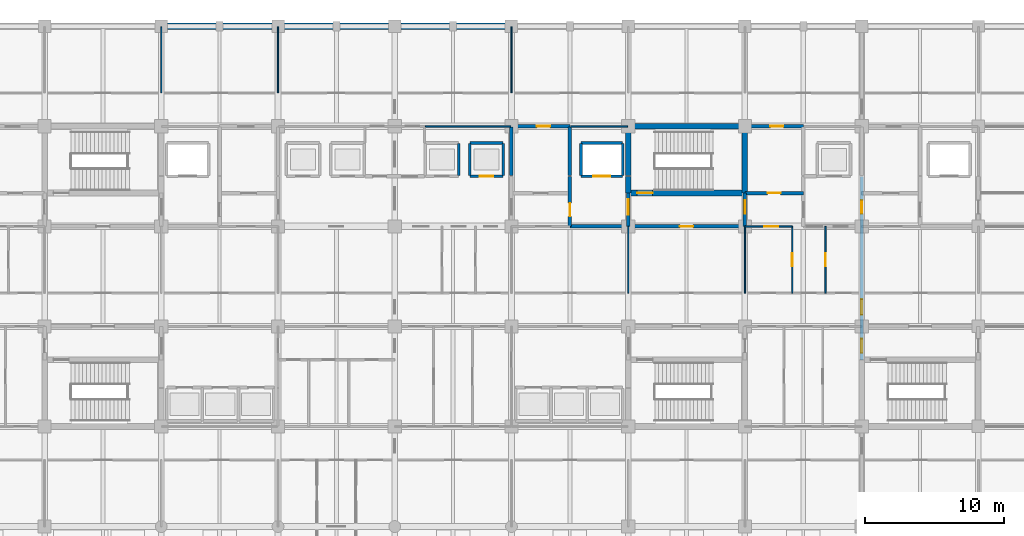
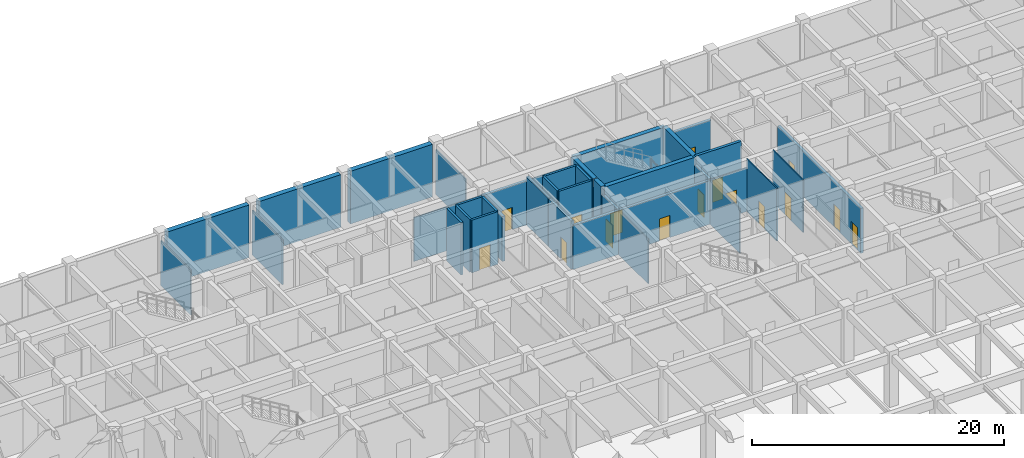
# One storey, part 33 of 48: 37 walls, 16 doors, 16 openings.
"""IFC4 building model written with IfcOpenShell, lengths in metres."""

import ifcopenshell
import ifcopenshell.guid

model = None  # the IFC model being written
_history = None  # IfcOwnerHistory: only IFC2X3 demands one
_inside = {}  # id of a spatial element -> (the spatial element, [elements in it])
_under = {}  # id of a project, library or spatial element -> (it, [spatial elements below it])
_declared = {}  # id of a project -> (the project, [libraries it declares])
_typed = {}  # id of a type object -> (the type object, [elements of that type])
_made_of = {}  # id of a material, layer set ... -> (it, [elements and type objects made of it])


def new_model(schema):
    """Start an empty IFC model of exactly this schema.

    Asked for "IFC4X3", IfcOpenShell would pick the latest addendum, in which some entities
    have other attributes; the version numbers below select the first issue.
    IFC2X3 requires an IfcOwnerHistory on every rooted entity: one is made here for all.
    """
    global model, _history
    if schema == "IFC4X3":
        model = ifcopenshell.file(schema_version=(4, 3, 0, 0))
    else:
        model = ifcopenshell.file(schema=schema)
    _inside.clear()
    _under.clear()
    _declared.clear()
    _typed.clear()
    _made_of.clear()
    _history = None
    if model.schema == "IFC2X3":
        org = make("IfcOrganization", Name="unknown")
        user = make(
            "IfcPersonAndOrganization",
            ThePerson=make("IfcPerson", FamilyName="unknown"),
            TheOrganization=org,
        )
        app = make(
            "IfcApplication",
            ApplicationDeveloper=org,
            Version="unknown",
            ApplicationFullName="unknown",
            ApplicationIdentifier="unknown",
        )
        _history = make(
            "IfcOwnerHistory",
            OwningUser=user,
            OwningApplication=app,
            ChangeAction="ADDED",
            CreationDate=0,
        )
    return model


def make(cls, **values):
    """One entity of the class cls with the attributes given. An attribute that is None is left unset."""
    return model.create_entity(
        cls, **{name: value for name, value in values.items() if value is not None}
    )


def rooted(cls, **values):
    """An entity with a GlobalId (a new one), such as an element, a storey or a relation."""
    return make(cls, GlobalId=ifcopenshell.guid.new(), OwnerHistory=_history, **values)


def si_unit(unit_type, name, prefix=None):
    """IfcSIUnit, for example si_unit("LENGTHUNIT", "METRE", prefix="MILLI")."""
    return make("IfcSIUnit", UnitType=unit_type, Prefix=prefix, Name=name)


def assignment(units):
    """IfcUnitAssignment: the units of a project."""
    return None if units is None else make("IfcUnitAssignment", Units=units)


def point(xyz):
    """IfcCartesianPoint."""
    return None if xyz is None else make("IfcCartesianPoint", Coordinates=xyz)


def direction(xyz):
    """IfcDirection."""
    return None if xyz is None else make("IfcDirection", DirectionRatios=xyz)


def frame(location, z_axis=None, x_axis=None):
    """IfcAxis2Placement3D, a coordinate frame: its origin and axes. An axis left out is left unset."""
    return make(
        "IfcAxis2Placement3D",
        Location=point(location),
        Axis=direction(z_axis),
        RefDirection=direction(x_axis),
    )


def frame_2d(location, x_axis=None):
    """IfcAxis2Placement2D, a coordinate frame in the plane: its origin and x axis."""
    return make(
        "IfcAxis2Placement2D", Location=point(location), RefDirection=direction(x_axis)
    )


def origin():
    """The frame at (0, 0, 0) with its axes left unset."""
    return frame((0.0, 0.0, 0.0))


def place(relative_to, where):
    """IfcLocalPlacement: puts the frame where relative to a parent placement (None: the world)."""
    return make(
        "IfcLocalPlacement", PlacementRelTo=relative_to, RelativePlacement=where
    )


def context(
    kind, dimensions, precision=None, world=None, true_north=None, identifier=None
):
    """IfcGeometricRepresentationContext, for example the 3D "Model" context."""
    return make(
        "IfcGeometricRepresentationContext",
        ContextIdentifier=identifier,
        ContextType=kind,
        CoordinateSpaceDimension=dimensions,
        Precision=precision,
        WorldCoordinateSystem=world,
        TrueNorth=true_north,
    )


def subcontext(parent, identifier, kind, view, scale=None):
    """IfcGeometricRepresentationSubContext, for example "Body" below "Model"."""
    return make(
        "IfcGeometricRepresentationSubContext",
        ContextIdentifier=identifier,
        ContextType=kind,
        ParentContext=parent,
        TargetScale=scale,
        TargetView=view,
    )


def project(units=None, contexts=None):
    """IfcProject with its units and contexts."""
    return rooted(
        "IfcProject",
        Name="project",
        RepresentationContexts=contexts,
        UnitsInContext=assignment(units),
    )


def spatial(cls, under=None, at=None, **own):
    """A site, building, storey or space (cls), placed at a placement, below another one or the project."""
    s = rooted(cls, ObjectPlacement=at, **own)
    if under is not None:
        _under.setdefault(under.id(), (under, []))[1].append(s)
    return s


def profile(cls, at=None, kind="AREA", **sizes):
    """A parametric profile (cls). Its sizes go by their IFC names, for example OverallWidth=200.0."""
    return make(cls, ProfileType=kind, Position=at, **sizes)


def rectangle(**sizes):
    """IfcRectangleProfileDef."""
    return profile("IfcRectangleProfileDef", **sizes)


def extrude(swept, where, along, depth):
    """IfcExtrudedAreaSolid: the profile swept, set in the frame where, extruded along a direction by depth."""
    return make(
        "IfcExtrudedAreaSolid",
        SweptArea=swept,
        Position=where,
        ExtrudedDirection=direction(along),
        Depth=depth,
    )


def shape(context_of_items, identifier, shape_type, items):
    """IfcShapeRepresentation: the items that make up one representation, for example the "Body"."""
    return make(
        "IfcShapeRepresentation",
        ContextOfItems=context_of_items,
        RepresentationIdentifier=identifier,
        RepresentationType=shape_type,
        Items=items,
    )


def material(Name=None, Category=None):
    """IfcMaterial."""
    return make("IfcMaterial", Name=Name, Category=Category)


def layer(
    of_material, thickness, ventilated=None, Name=None, Category=None, Priority=None
):
    """IfcMaterialLayer: one layer of a wall or slab, of a material (None: an air gap)."""
    return make(
        "IfcMaterialLayer",
        Material=of_material,
        LayerThickness=thickness,
        IsVentilated=ventilated,
        Name=Name,
        Category=Category,
        Priority=Priority,
    )


def layer_set(layers, Name=None):
    """IfcMaterialLayerSet."""
    return make("IfcMaterialLayerSet", MaterialLayers=layers, LayerSetName=Name)


def made_of(thing, what):
    """Note that an element or type object is made of a material, layer set ...; save() writes the relation."""
    if what is not None:
        _made_of.setdefault(what.id(), (what, []))[1].append(thing)
    return thing


def type_object(cls, material=None, **own):
    """A type object (cls), such as IfcWallType, which elements share."""
    return made_of(rooted(cls, **own), material)


def element(
    cls,
    number,
    at=None,
    inside=None,
    cuts=None,
    type_object=None,
    material=None,
    context=None,
    identifier="Body",
    shape_type=None,
    held_by="IfcProductDefinitionShape",
    body=None,
    shapes=None,
    **own,
):
    """One element of the class cls, such as IfcWall. Its Tag is "e" and its number.

    at: its placement. inside: the storey or other place that contains it. cuts: it is an
    opening in that element (IfcRelVoidsElement). A single representation is given by context,
    identifier, shape_type and body (its items); several are given by shapes. held_by: the class
    of the entity that holds the representations. save() writes the other relations.
    """
    e = rooted(cls, Tag="e%d" % number, ObjectPlacement=at, **own)
    if body is not None:
        shapes = [shape(context, identifier, shape_type, body)]
    if shapes is not None:
        e.Representation = make(held_by, Representations=shapes)
    if inside is not None:
        _inside.setdefault(inside.id(), (inside, []))[1].append(e)
    if cuts is not None:
        rooted(
            "IfcRelVoidsElement", RelatingBuildingElement=cuts, RelatedOpeningElement=e
        )
    if type_object is not None:
        _typed.setdefault(type_object.id(), (type_object, []))[1].append(e)
    return made_of(e, material)


def fill(opening, filler):
    """IfcRelFillsElement: the door or window that sits in an opening."""
    return rooted(
        "IfcRelFillsElement",
        RelatingOpeningElement=opening,
        RelatedBuildingElement=filler,
    )


def aggregate(whole, parts):
    """IfcRelAggregates: a whole, such as a stair, and the parts it consists of."""
    return rooted("IfcRelAggregates", RelatingObject=whole, RelatedObjects=parts)


def save(model, path):
    """Write the relations noted so far, then the file.

    IfcRelAggregates (storeys below a building ...), IfcRelContainedInSpatialStructure (elements
    in a storey), IfcRelDefinesByType, IfcRelAssociatesMaterial and IfcRelDeclares: one each for
    every whole, place, type object, material and project.
    """
    for whole, parts in _under.values():
        aggregate(whole, parts)
    for where, things in _inside.values():
        rooted(
            "IfcRelContainedInSpatialStructure",
            RelatedElements=things,
            RelatingStructure=where,
        )
    for kind, things in _typed.values():
        rooted("IfcRelDefinesByType", RelatedObjects=things, RelatingType=kind)
    for what, things in _made_of.values():
        rooted("IfcRelAssociatesMaterial", RelatedObjects=things, RelatingMaterial=what)
    for by, libraries in _declared.values():
        rooted("IfcRelDeclares", RelatingContext=by, RelatedDefinitions=libraries)
    model.write(path)


model = new_model("IFC4")

# Units and contexts
model_context = context("Model", 3, precision=1e-05, world=origin(), true_north=direction((0.0, 1.0)))
body_context = subcontext(model_context, "Body", "Model", "MODEL_VIEW")
ifc_project = project(units=[si_unit("LENGTHUNIT", "METRE"), si_unit("AREAUNIT", "SQUARE_METRE"), si_unit("VOLUMEUNIT", "CUBIC_METRE"), si_unit("PLANEANGLEUNIT", "RADIAN"), si_unit("MASSUNIT", "GRAM", prefix="KILO")], contexts=[model_context])

# Site, building, storey
site_placement = place(None, origin())
site = spatial("IfcSite", under=ifc_project, at=site_placement, CompositionType="ELEMENT")
building_placement = place(site_placement, origin())
building = spatial("IfcBuilding", under=site, at=building_placement, Name="Chengyuan Square Courthouse", CompositionType="ELEMENT")
storey_placement = place(building_placement, frame((0.0, 0.0, -5.39990234375)))
storey = spatial("IfcBuildingStorey", under=building, at=storey_placement, Name="B01", CompositionType="ELEMENT", Elevation=-5.39990234375)

# Wall, opening, door
ifc_material_1 = material(Name="Concrete C40", Category="concrete")
ifc_layer_1 = layer(ifc_material_1, 0.25)
ifc_layer_set_1 = layer_set([ifc_layer_1], Name="Concrete C40")
wall_type_1 = type_object("IfcWallType", Name="WL-FW1", PredefinedType="STANDARD", material=ifc_layer_set_1)
wall_1_placement = place(storey_placement, frame((96.60009765625, 100.800048828125, 0.0), z_axis=(0.0, 0.0, 1.0), x_axis=(1.0, 0.0, 0.0)))
wall_1 = element("IfcWall", 1, at=wall_1_placement, inside=storey, type_object=wall_type_1, Name="Interior Wall WL-B01-I362", PredefinedType="STANDARD", context=body_context, shape_type="SweptSolid", body=[
    extrude(rectangle(XDim=12.599853515625, YDim=0.25, at=frame_2d((6.2998046875, 0.0))), origin(), (0.0, 0.0, 1.0), 4.25),
])
opening_1_placement = place(wall_1_placement, frame((7.925048828125, 0.0, 0.0)))
opening_1 = element("IfcOpeningElement", 2, at=opening_1_placement, cuts=wall_1, Name="Opening DR-350", PredefinedType="OPENING", context=body_context, shape_type="SweptSolid", body=[
    extrude(rectangle(XDim=0.949951171875, YDim=2.14990234375, at=frame_2d((0.47509765625, 1.074951171875))), frame((0.0, 0.136962890625, 0.0), z_axis=(0.0, -1.0, 0.0), x_axis=(1.0, 0.0, 0.0)), (0.0, 0.0, 1.0), 0.27392578125),
])
ifc_material_2 = material(Name="Steel Q235B Fire Door", Category="steel")
door_type_1 = type_object("IfcDoorType", Name="DT-12", OperationType="NOTDEFINED", PredefinedType="DOOR", material=ifc_material_2)
door_1_placement = place(opening_1_placement, origin())
door_1 = element("IfcDoor", 3, at=door_1_placement, inside=storey, type_object=door_type_1, Name="Interior Door DR-350", OperationType="SINGLE_SWING_LEFT", OverallHeight=2.14990234375, OverallWidth=0.949951171875, PredefinedType="DOOR", context=body_context, shape_type="SweptSolid", body=[
    extrude(rectangle(XDim=0.949951171875, YDim=2.14990234375, at=frame_2d((0.47509765625, 1.074951171875))), frame((0.0, 0.02490234375, 0.0), z_axis=(0.0, -1.0, 0.0), x_axis=(1.0, 0.0, 0.0)), (0.0, 0.0, 1.0), 0.050048828125),
])
fill(opening_1, door_1)

wall_2_placement = place(storey_placement, frame((109.199951171875, 103.199951171875, 0.0), z_axis=(0.0, 0.0, 1.0), x_axis=(1.0, 0.0, 0.0)))
wall_2 = element("IfcWall", 4, at=wall_2_placement, inside=storey, type_object=wall_type_1, Name="Interior Wall WL-B01-I377", PredefinedType="STANDARD", context=body_context, shape_type="SweptSolid", body=[
    extrude(rectangle(XDim=4.199951171875, YDim=0.25, at=frame_2d((2.10009765625, 0.0))), origin(), (0.0, 0.0, 1.0), 5.099853515625),
])
opening_2_placement = place(wall_2_placement, frame((1.625, 0.0, 0.0)))
opening_2 = element("IfcOpeningElement", 5, at=opening_2_placement, cuts=wall_2, Name="Opening DR-437", PredefinedType="OPENING", context=body_context, shape_type="SweptSolid", body=[
    extrude(rectangle(XDim=0.949951171875, YDim=2.14990234375, at=frame_2d((0.47509765625, 1.074951171875))), frame((0.0, 0.136962890625, 0.0), z_axis=(0.0, -1.0, 0.0), x_axis=(1.0, 0.0, 0.0)), (0.0, 0.0, 1.0), 0.27392578125),
])
door_2_placement = place(opening_2_placement, origin())
door_2 = element("IfcDoor", 6, at=door_2_placement, inside=storey, type_object=door_type_1, Name="Interior Door DR-437", OperationType="SINGLE_SWING_RIGHT", OverallHeight=2.14990234375, OverallWidth=0.949951171875, PredefinedType="DOOR", context=body_context, shape_type="SweptSolid", body=[
    extrude(rectangle(XDim=0.949951171875, YDim=2.14990234375, at=frame_2d((0.47509765625, 1.074951171875))), frame((0.0, 0.02490234375, 0.0), z_axis=(0.0, -1.0, 0.0), x_axis=(1.0, 0.0, 0.0)), (0.0, 0.0, 1.0), 0.050048828125),
])
fill(opening_2, door_2)

wall_3_placement = place(storey_placement, frame((92.39990234375, 108.0, 0.0), z_axis=(0.0, 0.0, 1.0), x_axis=(1.0, 0.0, 0.0)))
wall_3 = element("IfcWall", 7, at=wall_3_placement, inside=storey, type_object=wall_type_1, Name="Interior Wall WL-B01-I417", PredefinedType="STANDARD", context=body_context, shape_type="SweptSolid", body=[
    extrude(rectangle(XDim=4.2001953125, YDim=0.25, at=frame_2d((2.10009765625, 0.0))), origin(), (0.0, 0.0, 1.0), 4.25),
])
opening_3_placement = place(wall_3_placement, frame((1.822509765625, 0.0, 0.0)))
opening_3 = element("IfcOpeningElement", 8, at=opening_3_placement, cuts=wall_3, Name="Opening DR-407", PredefinedType="OPENING", context=body_context, shape_type="SweptSolid", body=[
    extrude(rectangle(XDim=0.949951171875, YDim=2.14990234375, at=frame_2d((0.47509765625, 1.074951171875))), frame((0.0, 0.136962890625, 0.0), z_axis=(0.0, -1.0, 0.0), x_axis=(1.0, 0.0, 0.0)), (0.0, 0.0, 1.0), 0.27392578125),
])
door_3_placement = place(opening_3_placement, origin())
door_3 = element("IfcDoor", 9, at=door_3_placement, inside=storey, type_object=door_type_1, Name="Interior Door DR-407", OperationType="SINGLE_SWING_LEFT", OverallHeight=2.14990234375, OverallWidth=0.949951171875, PredefinedType="DOOR", context=body_context, shape_type="SweptSolid", body=[
    extrude(rectangle(XDim=0.949951171875, YDim=2.14990234375, at=frame_2d((0.47509765625, 1.074951171875))), frame((0.0, 0.02490234375, 0.0), z_axis=(0.0, -1.0, 0.0), x_axis=(1.0, 0.0, 0.0)), (0.0, 0.0, 1.0), 0.050048828125),
])
fill(opening_3, door_3)

wall_4_placement = place(storey_placement, frame((109.199951171875, 108.0, 0.0), z_axis=(0.0, 0.0, 1.0), x_axis=(1.0, 0.0, 0.0)))
wall_4 = element("IfcWall", 10, at=wall_4_placement, inside=storey, type_object=wall_type_1, Name="Interior Wall WL-B01-I420", PredefinedType="STANDARD", context=body_context, shape_type="SweptSolid", body=[
    extrude(rectangle(XDim=4.199951171875, YDim=0.25, at=frame_2d((2.10009765625, 0.0))), origin(), (0.0, 0.0, 1.0), 4.25),
])
opening_4_placement = place(wall_4_placement, frame((1.822509765625, 0.0, 0.0)))
opening_4 = element("IfcOpeningElement", 11, at=opening_4_placement, cuts=wall_4, Name="Opening DR-440", PredefinedType="OPENING", context=body_context, shape_type="SweptSolid", body=[
    extrude(rectangle(XDim=0.949951171875, YDim=2.14990234375, at=frame_2d((0.47509765625, 1.074951171875))), frame((0.0, 0.136962890625, 0.0), z_axis=(0.0, -1.0, 0.0), x_axis=(1.0, 0.0, 0.0)), (0.0, 0.0, 1.0), 0.27392578125),
])
door_4_placement = place(opening_4_placement, origin())
door_4 = element("IfcDoor", 12, at=door_4_placement, inside=storey, type_object=door_type_1, Name="Interior Door DR-440", OperationType="SINGLE_SWING_LEFT", OverallHeight=2.14990234375, OverallWidth=0.949951171875, PredefinedType="DOOR", context=body_context, shape_type="SweptSolid", body=[
    extrude(rectangle(XDim=0.949951171875, YDim=2.14990234375, at=frame_2d((0.47509765625, 1.074951171875))), frame((0.0, 0.02490234375, 0.0), z_axis=(0.0, -1.0, 0.0), x_axis=(1.0, 0.0, 0.0)), (0.0, 0.0, 1.0), 0.050048828125),
])
fill(opening_4, door_4)

# Wall
wall_5_placement = place(storey_placement, frame((92.39990234375, 104.449951171875, 0.0), z_axis=(0.0, 0.0, 1.0), x_axis=(0.0, 1.0, 0.0)))
element("IfcWall", 13, at=wall_5_placement, inside=storey, type_object=wall_type_1, Name="Interior Wall WL-B01-I540", PredefinedType="STANDARD", context=body_context, shape_type="SweptSolid", body=[
    extrude(rectangle(XDim=3.5, YDim=0.25, at=frame_2d((1.75, 0.0))), origin(), (0.0, 0.0, 1.0), 4.349853515625),
])

# Wall, opening, door
wall_6_placement = place(storey_placement, frame((96.60009765625, 100.800048828125, 0.0), z_axis=(0.0, 0.0, 1.0), x_axis=(0.0, 1.0, 0.0)))
wall_6 = element("IfcWall", 14, at=wall_6_placement, inside=storey, type_object=wall_type_1, Name="Interior Wall WL-B01-I544", PredefinedType="STANDARD", context=body_context, shape_type="SweptSolid", body=[
    extrude(rectangle(XDim=3.599853515625, YDim=0.25, at=frame_2d((1.7998046875, 0.0))), origin(), (0.0, 0.0, 1.0), 4.64990234375),
])
opening_5_placement = place(wall_6_placement, frame((0.72509765625, 0.0, 0.0)))
opening_5 = element("IfcOpeningElement", 15, at=opening_5_placement, cuts=wall_6, Name="Opening DR-404", PredefinedType="OPENING", context=body_context, shape_type="SweptSolid", body=[
    extrude(rectangle(XDim=0.949951171875, YDim=2.14990234375, at=frame_2d((0.47509765625, 1.074951171875))), frame((0.0, 0.136962890625, 0.0), z_axis=(0.0, -1.0, 0.0), x_axis=(1.0, 0.0, 0.0)), (0.0, 0.0, 1.0), 0.27392578125),
])
door_5_placement = place(opening_5_placement, origin())
door_5 = element("IfcDoor", 16, at=door_5_placement, inside=storey, type_object=door_type_1, Name="Interior Door DR-404", OperationType="SINGLE_SWING_RIGHT", OverallHeight=2.14990234375, OverallWidth=0.949951171875, PredefinedType="DOOR", context=body_context, shape_type="SweptSolid", body=[
    extrude(rectangle(XDim=0.949951171875, YDim=2.14990234375, at=frame_2d((0.47509765625, 1.074951171875))), frame((0.0, 0.02490234375, 0.0), z_axis=(0.0, -1.0, 0.0), x_axis=(1.0, 0.0, 0.0)), (0.0, 0.0, 1.0), 0.050048828125),
])
fill(opening_5, door_5)

# Wall
wall_7_placement = place(storey_placement, frame((96.60009765625, 104.449951171875, 0.0), z_axis=(0.0, 0.0, 1.0), x_axis=(0.0, 1.0, 0.0)))
element("IfcWall", 17, at=wall_7_placement, inside=storey, type_object=wall_type_1, Name="Interior Wall WL-B01-I545", PredefinedType="STANDARD", context=body_context, shape_type="SweptSolid", body=[
    extrude(rectangle(XDim=3.5, YDim=0.25, at=frame_2d((1.75, 0.0))), origin(), (0.0, 0.0, 1.0), 4.64990234375),
])

# Wall, opening, door
wall_8_placement = place(storey_placement, frame((100.800048828125, 100.800048828125, 0.0), z_axis=(0.0, 0.0, 1.0), x_axis=(0.0, 1.0, 0.0)))
wall_8 = element("IfcWall", 18, at=wall_8_placement, inside=storey, type_object=wall_type_1, Name="Interior Wall WL-B01-I555", PredefinedType="STANDARD", context=body_context, shape_type="SweptSolid", body=[
    extrude(rectangle(XDim=2.39990234375, YDim=0.25, at=frame_2d((1.199951171875, 0.0))), origin(), (0.0, 0.0, 1.0), 4.349853515625),
])
opening_6_placement = place(wall_8_placement, frame((0.847412109375, 0.0, 0.0)))
opening_6 = element("IfcOpeningElement", 19, at=opening_6_placement, cuts=wall_8, Name="Opening DR-348", PredefinedType="OPENING", context=body_context, shape_type="SweptSolid", body=[
    extrude(rectangle(XDim=1.10009765625, YDim=2.199951171875, at=frame_2d((0.550048828125, 1.10009765625))), frame((0.0, 0.136962890625, 0.0), z_axis=(0.0, -1.0, 0.0), x_axis=(1.0, 0.0, 0.0)), (0.0, 0.0, 1.0), 0.27392578125),
])
door_type_2 = type_object("IfcDoorType", Name="DT-10", OperationType="NOTDEFINED", PredefinedType="DOOR", material=ifc_material_2)
door_6_placement = place(opening_6_placement, origin())
door_6 = element("IfcDoor", 20, at=door_6_placement, inside=storey, type_object=door_type_2, Name="Interior Door DR-348", OperationType="SINGLE_SWING_LEFT", OverallHeight=2.199951171875, OverallWidth=1.10009765625, PredefinedType="DOOR", context=body_context, shape_type="SweptSolid", body=[
    extrude(rectangle(XDim=1.10009765625, YDim=2.199951171875, at=frame_2d((0.550048828125, 1.10009765625))), frame((0.0, 0.02490234375, 0.0), z_axis=(0.0, -1.0, 0.0), x_axis=(1.0, 0.0, 0.0)), (0.0, 0.0, 1.0), 0.050048828125),
])
fill(opening_6, door_6)

wall_9_placement = place(storey_placement, frame((109.199951171875, 100.800048828125, 0.0), z_axis=(0.0, 0.0, 1.0), x_axis=(0.0, 1.0, 0.0)))
wall_9 = element("IfcWall", 21, at=wall_9_placement, inside=storey, type_object=wall_type_1, Name="Interior Wall WL-B01-I563", PredefinedType="STANDARD", context=body_context, shape_type="SweptSolid", body=[
    extrude(rectangle(XDim=2.39990234375, YDim=0.25, at=frame_2d((1.199951171875, 0.0))), origin(), (0.0, 0.0, 1.0), 4.349853515625),
])
opening_7_placement = place(wall_9_placement, frame((0.8974609375, 0.0, 0.0)))
opening_7 = element("IfcOpeningElement", 22, at=opening_7_placement, cuts=wall_9, Name="Opening DR-349", PredefinedType="OPENING", context=body_context, shape_type="SweptSolid", body=[
    extrude(rectangle(XDim=1.0, YDim=2.199951171875, at=frame_2d((0.5, 1.10009765625))), frame((0.0, 0.136962890625, 0.0), z_axis=(0.0, -1.0, 0.0), x_axis=(1.0, 0.0, 0.0)), (0.0, 0.0, 1.0), 0.27392578125),
])
door_type_3 = type_object("IfcDoorType", Name="DT-11", OperationType="NOTDEFINED", PredefinedType="DOOR", material=ifc_material_2)
door_7_placement = place(opening_7_placement, origin())
door_7 = element("IfcDoor", 23, at=door_7_placement, inside=storey, type_object=door_type_3, Name="Interior Door DR-349", OperationType="SINGLE_SWING_RIGHT", OverallHeight=2.199951171875, OverallWidth=1.0, PredefinedType="DOOR", context=body_context, shape_type="SweptSolid", body=[
    extrude(rectangle(XDim=1.0, YDim=2.199951171875, at=frame_2d((0.5, 1.10009765625))), frame((0.0, 0.02490234375, 0.0), z_axis=(0.0, -1.0, 0.0), x_axis=(1.0, 0.0, 0.0)), (0.0, 0.0, 1.0), 0.050048828125),
])
fill(opening_7, door_7)

# Wall, openings, doors
wall_10_placement = place(storey_placement, frame((117.60009765625, 91.199951171875, 0.0), z_axis=(0.0, 0.0, 1.0), x_axis=(0.0, 1.0, 0.0)))
wall_10 = element("IfcWall", 24, at=wall_10_placement, inside=storey, type_object=wall_type_1, Name="Interior Wall WL-B01-I576", PredefinedType="STANDARD", context=body_context, shape_type="SweptSolid", body=[
    extrude(rectangle(XDim=13.199951171875, YDim=0.25, at=frame_2d((6.60009765625, 0.0))), origin(), (0.0, 0.0, 1.0), 4.349853515625),
])
opening_8_placement = place(wall_10_placement, frame((0.50244140625, 0.0, 0.0)))
opening_8 = element("IfcOpeningElement", 25, at=opening_8_placement, cuts=wall_10, Name="Opening DR-361", PredefinedType="OPENING", context=body_context, shape_type="SweptSolid", body=[
    extrude(rectangle(XDim=1.0, YDim=2.199951171875, at=frame_2d((0.5, 1.10009765625))), frame((0.0, 0.136962890625, 0.0), z_axis=(0.0, -1.0, 0.0), x_axis=(1.0, 0.0, 0.0)), (0.0, 0.0, 1.0), 0.27392578125),
])
opening_9_placement = place(wall_10_placement, frame((10.5224609375, 0.0, 0.0)))
opening_9 = element("IfcOpeningElement", 26, at=opening_9_placement, cuts=wall_10, Name="Opening DR-416", PredefinedType="OPENING", context=body_context, shape_type="SweptSolid", body=[
    extrude(rectangle(XDim=0.949951171875, YDim=2.14990234375, at=frame_2d((0.47509765625, 1.074951171875))), frame((0.0, 0.136962890625, 0.0), z_axis=(0.0, -1.0, 0.0), x_axis=(1.0, 0.0, 0.0)), (0.0, 0.0, 1.0), 0.27392578125),
])
opening_10_placement = place(wall_10_placement, frame((3.24755859375, 0.0, 0.0)))
opening_10 = element("IfcOpeningElement", 27, at=opening_10_placement, cuts=wall_10, Name="Opening DR-507", PredefinedType="OPENING", context=body_context, shape_type="SweptSolid", body=[
    extrude(rectangle(XDim=1.10009765625, YDim=2.199951171875, at=frame_2d((0.550048828125, 1.10009765625))), frame((0.0, 0.136962890625, 0.0), z_axis=(0.0, -1.0, 0.0), x_axis=(1.0, 0.0, 0.0)), (0.0, 0.0, 1.0), 0.27392578125),
])
door_8_placement = place(opening_10_placement, origin())
door_8 = element("IfcDoor", 28, at=door_8_placement, inside=storey, type_object=door_type_2, Name="Interior Door DR-507", OperationType="SINGLE_SWING_LEFT", OverallHeight=2.199951171875, OverallWidth=1.10009765625, PredefinedType="DOOR", context=body_context, shape_type="SweptSolid", body=[
    extrude(rectangle(XDim=1.10009765625, YDim=2.199951171875, at=frame_2d((0.550048828125, 1.10009765625))), frame((0.0, 0.02490234375, 0.0), z_axis=(0.0, -1.0, 0.0), x_axis=(1.0, 0.0, 0.0)), (0.0, 0.0, 1.0), 0.050048828125),
])
fill(opening_10, door_8)
door_9_placement = place(opening_8_placement, origin())
door_9 = element("IfcDoor", 29, at=door_9_placement, inside=storey, type_object=door_type_3, Name="Interior Door DR-361", OperationType="SINGLE_SWING_RIGHT", OverallHeight=2.199951171875, OverallWidth=1.0, PredefinedType="DOOR", context=body_context, shape_type="SweptSolid", body=[
    extrude(rectangle(XDim=1.0, YDim=2.199951171875, at=frame_2d((0.5, 1.10009765625))), frame((0.0, 0.02490234375, 0.0), z_axis=(0.0, -1.0, 0.0), x_axis=(1.0, 0.0, 0.0)), (0.0, 0.0, 1.0), 0.050048828125),
])
fill(opening_8, door_9)
door_10_placement = place(opening_9_placement, origin())
door_10 = element("IfcDoor", 30, at=door_10_placement, inside=storey, type_object=door_type_1, Name="Interior Door DR-416", OperationType="SINGLE_SWING_RIGHT", OverallHeight=2.14990234375, OverallWidth=0.949951171875, PredefinedType="DOOR", context=body_context, shape_type="SweptSolid", body=[
    extrude(rectangle(XDim=0.949951171875, YDim=2.14990234375, at=frame_2d((0.47509765625, 1.074951171875))), frame((0.0, 0.02490234375, 0.0), z_axis=(0.0, -1.0, 0.0), x_axis=(1.0, 0.0, 0.0)), (0.0, 0.0, 1.0), 0.050048828125),
])
fill(opening_9, door_10)

# Wall, opening, door
ifc_material_3 = material(Name="Gypsum Plasterboard Acoustic Stud Partition")
ifc_layer_2 = layer(ifc_material_3, 0.10009765625)
ifc_layer_set_2 = layer_set([ifc_layer_2], Name="Gypsum Plasterboard Acoustic Stud Partition")
wall_type_2 = type_object("IfcWallType", Name="WL-PT6", PredefinedType="STANDARD", material=ifc_layer_set_2)
wall_11_placement = place(storey_placement, frame((109.199951171875, 100.800048828125, 0.0), z_axis=(0.0, 0.0, 1.0), x_axis=(1.0, 0.0, 0.0)))
wall_11 = element("IfcWall", 31, at=wall_11_placement, inside=storey, type_object=wall_type_2, Name="Interior Wall WL-B01-I363", PredefinedType="STANDARD", context=body_context, shape_type="SweptSolid", body=[
    extrude(rectangle(XDim=3.400146484375, YDim=0.10009765625, at=frame_2d((1.7001953125, 0.0))), origin(), (0.0, 0.0, 1.0), 4.25),
])
opening_11_placement = place(wall_11_placement, frame((1.387451171875, 0.0, 0.0)))
opening_11 = element("IfcOpeningElement", 32, at=opening_11_placement, cuts=wall_11, Name="Opening DR-439", PredefinedType="OPENING", context=body_context, shape_type="SweptSolid", body=[
    extrude(rectangle(XDim=1.02001953125, YDim=2.39990234375, at=frame_2d((0.510009765625, 1.199951171875))), frame((0.0, 0.06201171875, 0.0), z_axis=(0.0, -1.0, 0.0), x_axis=(1.0, 0.0, 0.0)), (0.0, 0.0, 1.0), 0.1240234375),
])
ifc_material_4 = material(Name="Acoustic Solid-Core Timber Door", Category="wood")
door_type_4 = type_object("IfcDoorType", Name="DT-41", OperationType="NOTDEFINED", PredefinedType="DOOR", material=ifc_material_4)
door_11_placement = place(opening_11_placement, origin())
door_11 = element("IfcDoor", 33, at=door_11_placement, inside=storey, type_object=door_type_4, Name="Interior Door DR-439", OperationType="SINGLE_SWING_RIGHT", OverallHeight=2.39990234375, OverallWidth=1.02001953125, PredefinedType="DOOR", context=body_context, shape_type="SweptSolid", body=[
    extrude(rectangle(XDim=1.02001953125, YDim=2.39990234375, at=frame_2d((0.510009765625, 1.199951171875))), frame((0.0, 0.02490234375, 0.0), z_axis=(0.0, -1.0, 0.0), x_axis=(1.0, 0.0, 0.0)), (0.0, 0.0, 1.0), 0.050048828125),
])
fill(opening_11, door_11)

# Walls
wall_12_placement = place(storey_placement, frame((86.199951171875, 108.0, 0.0), z_axis=(0.0, 0.0, 1.0), x_axis=(1.0, 0.0, 0.0)))
element("IfcWall", 34, at=wall_12_placement, inside=storey, type_object=wall_type_2, Name="Interior Wall WL-B01-I416", PredefinedType="STANDARD", context=body_context, shape_type="SweptSolid", body=[
    extrude(rectangle(XDim=6.150146484375, YDim=0.10009765625, at=frame_2d((3.0751953125, 0.0))), origin(), (0.0, 0.0, 1.0), 4.25),
])
wall_13_placement = place(storey_placement, frame((96.64990234375, 108.0, 0.0), z_axis=(0.0, 0.0, 1.0), x_axis=(1.0, 0.0, 0.0)))
element("IfcWall", 35, at=wall_13_placement, inside=storey, type_object=wall_type_2, Name="Interior Wall WL-B01-I418", PredefinedType="STANDARD", context=body_context, shape_type="SweptSolid", body=[
    extrude(rectangle(XDim=4.10009765625, YDim=0.10009765625, at=frame_2d((2.050048828125, 0.0))), origin(), (0.0, 0.0, 1.0), 4.25),
])
for number, where, z_axis, x_axis, name in (
    (36, (67.199951171875, 110.39990234375, 0.0), (0.0, 0.0, 1.0), (0.0, 1.0, 0.0), "Interior Wall WL-B01-I499"),
    (37, (75.60009765625, 110.39990234375, 0.0), (0.0, 0.0, 1.0), (0.0, 1.0, 0.0), "Interior Wall WL-B01-I515"),
    (38, (92.39990234375, 110.39990234375, 0.0), (0.0, 0.0, 1.0), (0.0, 1.0, 0.0), "Interior Wall WL-B01-I541"),
):
    element("IfcWall", number, at=place(storey_placement, frame(where, z_axis=z_axis, x_axis=x_axis)), inside=storey, type_object=wall_type_2, Name=name, PredefinedType="STANDARD", context=body_context, shape_type="SweptSolid", body=[
        extrude(rectangle(XDim=4.760009765625, YDim=0.10009765625, at=frame_2d((2.3798828125, 0.0))), origin(), (0.0, 0.0, 1.0), 4.349853515625),
    ])
for number, where, z_axis, x_axis, name in (
    (39, (100.800048828125, 96.0, 0.0), (0.0, 0.0, 1.0), (0.0, 1.0, 0.0), "Interior Wall WL-B01-I554"),
    (40, (109.199951171875, 96.0, 0.0), (0.0, 0.0, 1.0), (0.0, 1.0, 0.0), "Interior Wall WL-B01-I562"),
):
    element("IfcWall", number, at=place(storey_placement, frame(where, z_axis=z_axis, x_axis=x_axis)), inside=storey, type_object=wall_type_2, Name=name, PredefinedType="STANDARD", context=body_context, shape_type="SweptSolid", body=[
        extrude(rectangle(XDim=4.800048828125, YDim=0.10009765625, at=frame_2d((2.39990234375, 0.0))), origin(), (0.0, 0.0, 1.0), 4.349853515625),
    ])

# Wall, opening, door
wall_14_placement = place(storey_placement, frame((112.60009765625, 96.0, 0.0), z_axis=(0.0, 0.0, 1.0), x_axis=(0.0, 1.0, 0.0)))
wall_14 = element("IfcWall", 41, at=wall_14_placement, inside=storey, type_object=wall_type_2, Name="Interior Wall WL-B01-I567", PredefinedType="STANDARD", context=body_context, shape_type="SweptSolid", body=[
    extrude(rectangle(XDim=4.800048828125, YDim=0.10009765625, at=frame_2d((2.39990234375, 0.0))), origin(), (0.0, 0.0, 1.0), 5.099853515625),
])
opening_12_placement = place(wall_14_placement, frame((1.93994140625, 0.0, 0.0)))
opening_12 = element("IfcOpeningElement", 42, at=opening_12_placement, cuts=wall_14, Name="Opening DR-546", PredefinedType="OPENING", context=body_context, shape_type="SweptSolid", body=[
    extrude(rectangle(XDim=0.919921875, YDim=2.14990234375, at=frame_2d((0.4599609375, 1.074951171875))), frame((0.0, 0.06201171875, 0.0), z_axis=(0.0, -1.0, 0.0), x_axis=(1.0, 0.0, 0.0)), (0.0, 0.0, 1.0), 0.1240234375),
])
door_type_5 = type_object("IfcDoorType", Name="DT-29", OperationType="NOTDEFINED", PredefinedType="DOOR", material=ifc_material_4)
door_12_placement = place(opening_12_placement, origin())
door_12 = element("IfcDoor", 43, at=door_12_placement, inside=storey, type_object=door_type_5, Name="Interior Door DR-546", OperationType="SINGLE_SWING_LEFT", OverallHeight=2.14990234375, OverallWidth=0.919921875, PredefinedType="DOOR", context=body_context, shape_type="SweptSolid", body=[
    extrude(rectangle(XDim=0.919921875, YDim=2.14990234375, at=frame_2d((0.4599609375, 1.074951171875))), frame((0.0, 0.02490234375, 0.0), z_axis=(0.0, -1.0, 0.0), x_axis=(1.0, 0.0, 0.0)), (0.0, 0.0, 1.0), 0.050048828125),
])
fill(opening_12, door_12)

wall_15_placement = place(storey_placement, frame((115.0, 96.0, 0.0), z_axis=(0.0, 0.0, 1.0), x_axis=(0.0, 1.0, 0.0)))
wall_15 = element("IfcWall", 44, at=wall_15_placement, inside=storey, type_object=wall_type_2, Name="Interior Wall WL-B01-I572", PredefinedType="STANDARD", context=body_context, shape_type="SweptSolid", body=[
    extrude(rectangle(XDim=4.800048828125, YDim=0.10009765625, at=frame_2d((2.39990234375, 0.0))), origin(), (0.0, 0.0, 1.0), 5.099853515625),
])
opening_13_placement = place(wall_15_placement, frame((1.919921875, 0.0, 0.0)))
opening_13 = element("IfcOpeningElement", 45, at=opening_13_placement, cuts=wall_15, Name="Opening DR-547", PredefinedType="OPENING", context=body_context, shape_type="SweptSolid", body=[
    extrude(rectangle(XDim=0.9599609375, YDim=2.199951171875, at=frame_2d((0.47998046875, 1.10009765625))), frame((0.0, 0.06201171875, 0.0), z_axis=(0.0, -1.0, 0.0), x_axis=(1.0, 0.0, 0.0)), (0.0, 0.0, 1.0), 0.1240234375),
])
door_type_6 = type_object("IfcDoorType", Name="DT-30", OperationType="NOTDEFINED", PredefinedType="DOOR", material=ifc_material_4)
door_13_placement = place(opening_13_placement, origin())
door_13 = element("IfcDoor", 46, at=door_13_placement, inside=storey, type_object=door_type_6, Name="Interior Door DR-547", OperationType="SINGLE_SWING_RIGHT", OverallHeight=2.199951171875, OverallWidth=0.9599609375, PredefinedType="DOOR", context=body_context, shape_type="SweptSolid", body=[
    extrude(rectangle(XDim=0.9599609375, YDim=2.199951171875, at=frame_2d((0.47998046875, 1.10009765625))), frame((0.0, 0.02490234375, 0.0), z_axis=(0.0, -1.0, 0.0), x_axis=(1.0, 0.0, 0.0)), (0.0, 0.0, 1.0), 0.050048828125),
])
fill(opening_13, door_13)

# Walls
ifc_layer_3 = layer(ifc_material_1, 0.449951171875)
ifc_layer_set_3 = layer_set([ifc_layer_3], Name="Concrete C40")
wall_type_3 = type_object("IfcWallType", Name="WL-RW2", PredefinedType="USERDEFINED", material=ifc_layer_set_3)
for number, where, z_axis, x_axis, name in (
    (47, (67.64501953125, 115.199951171875, 0.0), (0.0, 0.0, 1.0), (1.0, 0.0, 0.0), "Basement Retaining Wall WL-B01-E106"),
    (48, (76.044921875, 115.199951171875, 0.0), (0.0, 0.0, 1.0), (1.0, 0.0, 0.0), "Basement Retaining Wall WL-B01-E108"),
    (49, (84.445068359375, 115.199951171875, 0.0), (0.0, 0.0, 1.0), (1.0, 0.0, 0.0), "Basement Retaining Wall WL-B01-E110"),
):
    element("IfcWall", number, at=place(storey_placement, frame(where, z_axis=z_axis, x_axis=x_axis)), inside=storey, type_object=wall_type_3, Name=name, ObjectType="RETAININGWALL", PredefinedType="USERDEFINED", context=body_context, shape_type="SweptSolid", body=[
        extrude(rectangle(XDim=7.510009765625, YDim=0.449951171875, at=frame_2d((3.7548828125, 0.0))), origin(), (0.0, 0.0, 1.0), 5.099853515625),
    ])

# Wall, opening, door
ifc_material_5 = material(Name="Reinforced Masonry Shaft Enclosure", Category="masonry")
ifc_layer_4 = layer(ifc_material_5, 0.199951171875)
ifc_layer_set_4 = layer_set([ifc_layer_4], Name="Reinforced Masonry Shaft Enclosure")
wall_type_4 = type_object("IfcWallType", Name="WL-SH1", PredefinedType="STANDARD", material=ifc_layer_set_4)
wall_16_placement = place(storey_placement, frame((89.39990234375, 104.39990234375, 0.0), z_axis=(0.0, 0.0, 1.0), x_axis=(1.0, 0.0, 0.0)))
wall_16 = element("IfcWall", 50, at=wall_16_placement, inside=storey, type_object=wall_type_4, Name="Interior Wall WL-B01-I389", PredefinedType="STANDARD", context=body_context, shape_type="SweptSolid", body=[
    extrude(rectangle(XDim=2.400146484375, YDim=0.199951171875, at=frame_2d((1.2001953125, 0.0))), origin(), (0.0, 0.0, 1.0), 5.099853515625),
])
opening_14_placement = place(wall_16_placement, frame((0.699951171875, 0.0, 0.0)))
opening_14 = element("IfcOpeningElement", 51, at=opening_14_placement, cuts=wall_16, Name="Opening LD-012", PredefinedType="OPENING", context=body_context, shape_type="SweptSolid", body=[
    extrude(rectangle(XDim=1.0, YDim=2.14990234375, at=frame_2d((0.5, 1.074951171875))), frame((0.0, 0.112060546875, 0.0), z_axis=(0.0, -1.0, 0.0), x_axis=(1.0, 0.0, 0.0)), (0.0, 0.0, 1.0), 0.223876953125),
])
ifc_material_6 = material(Name="Stainless Steel S30408 Lift Landing Door", Category="steel")
door_type_7 = type_object("IfcDoorType", Name="DT-07", OperationType="DOUBLE_DOOR_SLIDING", PredefinedType="DOOR", material=ifc_material_6)
door_14_placement = place(opening_14_placement, origin())
door_14 = element("IfcDoor", 52, at=door_14_placement, inside=storey, type_object=door_type_7, Name="Lift Landing Door LF-J4 B01", OperationType="DOUBLE_DOOR_SLIDING", OverallHeight=2.14990234375, OverallWidth=1.0, PredefinedType="DOOR", context=body_context, shape_type="SweptSolid", body=[
    extrude(rectangle(XDim=1.0, YDim=2.14990234375, at=frame_2d((0.5, 1.074951171875))), frame((0.0, 0.02490234375, 0.0), z_axis=(0.0, -1.0, 0.0), x_axis=(1.0, 0.0, 0.0)), (0.0, 0.0, 1.0), 0.050048828125),
])
fill(opening_14, door_14)

wall_17_placement = place(storey_placement, frame((97.39990234375, 104.39990234375, 0.0), z_axis=(0.0, 0.0, 1.0), x_axis=(1.0, 0.0, 0.0)))
wall_17 = element("IfcWall", 53, at=wall_17_placement, inside=storey, type_object=wall_type_4, Name="Interior Wall WL-B01-I390", PredefinedType="STANDARD", context=body_context, shape_type="SweptSolid", body=[
    extrude(rectangle(XDim=3.0, YDim=0.199951171875, at=frame_2d((1.5, 0.0))), origin(), (0.0, 0.0, 1.0), 5.099853515625),
])
opening_15_placement = place(wall_17_placement, frame((0.89990234375, 0.0, 0.0)))
opening_15 = element("IfcOpeningElement", 54, at=opening_15_placement, cuts=wall_17, Name="Opening LD-006", PredefinedType="OPENING", context=body_context, shape_type="SweptSolid", body=[
    extrude(rectangle(XDim=1.199951171875, YDim=2.14990234375, at=frame_2d((0.60009765625, 1.074951171875))), frame((0.0, 0.112060546875, 0.0), z_axis=(0.0, -1.0, 0.0), x_axis=(1.0, 0.0, 0.0)), (0.0, 0.0, 1.0), 0.223876953125),
])
door_type_8 = type_object("IfcDoorType", Name="DT-05", OperationType="DOUBLE_DOOR_SLIDING", PredefinedType="DOOR", material=ifc_material_6)
door_15_placement = place(opening_15_placement, origin())
door_15 = element("IfcDoor", 55, at=door_15_placement, inside=storey, type_object=door_type_8, Name="Lift Landing Door LF-F2 B01", OperationType="DOUBLE_DOOR_SLIDING", OverallHeight=2.14990234375, OverallWidth=1.199951171875, PredefinedType="DOOR", context=body_context, shape_type="SweptSolid", body=[
    extrude(rectangle(XDim=1.199951171875, YDim=2.14990234375, at=frame_2d((0.60009765625, 1.074951171875))), frame((0.0, 0.02490234375, 0.0), z_axis=(0.0, -1.0, 0.0), x_axis=(1.0, 0.0, 0.0)), (0.0, 0.0, 1.0), 0.050048828125),
])
fill(opening_15, door_15)

# Walls
wall_18_placement = place(storey_placement, frame((89.39990234375, 106.800048828125, 0.0), z_axis=(0.0, 0.0, 1.0), x_axis=(1.0, 0.0, 0.0)))
element("IfcWall", 56, at=wall_18_placement, inside=storey, type_object=wall_type_4, Name="Interior Wall WL-B01-I400", PredefinedType="STANDARD", context=body_context, shape_type="SweptSolid", body=[
    extrude(rectangle(XDim=2.400146484375, YDim=0.199951171875, at=frame_2d((1.2001953125, 0.0))), origin(), (0.0, 0.0, 1.0), 5.099853515625),
])
wall_19_placement = place(storey_placement, frame((97.39990234375, 106.800048828125, 0.0), z_axis=(0.0, 0.0, 1.0), x_axis=(1.0, 0.0, 0.0)))
element("IfcWall", 57, at=wall_19_placement, inside=storey, type_object=wall_type_4, Name="Interior Wall WL-B01-I401", PredefinedType="STANDARD", context=body_context, shape_type="SweptSolid", body=[
    extrude(rectangle(XDim=3.0, YDim=0.199951171875, at=frame_2d((1.5, 0.0))), origin(), (0.0, 0.0, 1.0), 5.099853515625),
])
for number, where, z_axis, x_axis, name in (
    (58, (88.60009765625, 104.449951171875, 0.0), (0.0, 0.0, 1.0), (0.0, 1.0, 0.0), "Interior Wall WL-B01-I530"),
    (59, (89.39990234375, 104.449951171875, 0.0), (0.0, 0.0, 1.0), (0.0, 1.0, 0.0), "Interior Wall WL-B01-I531"),
    (60, (91.800048828125, 104.449951171875, 0.0), (0.0, 0.0, 1.0), (0.0, 1.0, 0.0), "Interior Wall WL-B01-I534"),
    (61, (97.39990234375, 104.449951171875, 0.0), (0.0, 0.0, 1.0), (0.0, 1.0, 0.0), "Interior Wall WL-B01-I546"),
    (62, (100.39990234375, 104.449951171875, 0.0), (0.0, 0.0, 1.0), (0.0, 1.0, 0.0), "Interior Wall WL-B01-I549"),
):
    element("IfcWall", number, at=place(storey_placement, frame(where, z_axis=z_axis, x_axis=x_axis)), inside=storey, type_object=wall_type_4, Name=name, PredefinedType="STANDARD", context=body_context, shape_type="SweptSolid", body=[
        extrude(rectangle(XDim=2.300048828125, YDim=0.199951171875, at=frame_2d((1.14990234375, 0.0))), origin(), (0.0, 0.0, 1.0), 5.099853515625),
    ])

# Wall, opening, door
ifc_material_7 = material(Name="Concrete C50", Category="concrete")
ifc_layer_5 = layer(ifc_material_7, 0.39990234375)
ifc_layer_set_5 = layer_set([ifc_layer_5], Name="Concrete C50")
wall_type_5 = type_object("IfcWallType", Name="WL-SW1", PredefinedType="SHEAR", material=ifc_layer_set_5)
wall_20_placement = place(storey_placement, frame((100.800048828125, 103.199951171875, 0.0), z_axis=(0.0, 0.0, 1.0), x_axis=(1.0, 0.0, 0.0)))
wall_20 = element("IfcWall", 63, at=wall_20_placement, inside=storey, type_object=wall_type_5, Name="Interior Wall WL-B01-I376", PredefinedType="SHEAR", context=body_context, shape_type="SweptSolid", body=[
    extrude(rectangle(XDim=8.39990234375, YDim=0.39990234375, at=frame_2d((4.199951171875, 0.0))), origin(), (0.0, 0.0, 1.0), 5.099853515625),
])
opening_16_placement = place(wall_20_placement, frame((0.64990234375, 0.0, 0.0)))
opening_16 = element("IfcOpeningElement", 64, at=opening_16_placement, cuts=wall_20, Name="Opening DR-336", PredefinedType="OPENING", context=body_context, shape_type="SweptSolid", body=[
    extrude(rectangle(XDim=1.10009765625, YDim=2.199951171875, at=frame_2d((0.550048828125, 1.10009765625))), frame((0.0, 0.2119140625, 0.0), z_axis=(0.0, -1.0, 0.0), x_axis=(1.0, 0.0, 0.0)), (0.0, 0.0, 1.0), 0.423828125),
])
door_16_placement = place(opening_16_placement, origin())
door_16 = element("IfcDoor", 65, at=door_16_placement, inside=storey, type_object=door_type_2, Name="Smoke-Proof Stairwell Fire Door ST-2 DR-336", OperationType="SINGLE_SWING_LEFT", OverallHeight=2.199951171875, OverallWidth=1.10009765625, PredefinedType="DOOR", context=body_context, shape_type="SweptSolid", body=[
    extrude(rectangle(XDim=1.10009765625, YDim=2.199951171875, at=frame_2d((0.550048828125, 1.10009765625))), frame((0.0, 0.02490234375, 0.0), z_axis=(0.0, -1.0, 0.0), x_axis=(1.0, 0.0, 0.0)), (0.0, 0.0, 1.0), 0.050048828125),
])
fill(opening_16, door_16)

# Walls
wall_21_placement = place(storey_placement, frame((100.800048828125, 108.0, 0.0), z_axis=(0.0, 0.0, 1.0), x_axis=(1.0, 0.0, 0.0)))
element("IfcWall", 66, at=wall_21_placement, inside=storey, type_object=wall_type_5, Name="Interior Wall WL-B01-I419", PredefinedType="SHEAR", context=body_context, shape_type="SweptSolid", body=[
    extrude(rectangle(XDim=8.39990234375, YDim=0.39990234375, at=frame_2d((4.199951171875, 0.0))), origin(), (0.0, 0.0, 1.0), 5.099853515625),
])
wall_22_placement = place(storey_placement, frame((100.800048828125, 103.199951171875, 0.0), z_axis=(0.0, 0.0, 1.0), x_axis=(0.0, 1.0, 0.0)))
element("IfcWall", 67, at=wall_22_placement, inside=storey, type_object=wall_type_5, Name="Interior Wall WL-B01-I556", PredefinedType="SHEAR", context=body_context, shape_type="SweptSolid", body=[
    extrude(rectangle(XDim=1.199951171875, YDim=0.39990234375, at=frame_2d((0.60009765625, 0.0))), origin(), (0.0, 0.0, 1.0), 5.099853515625),
])
wall_23_placement = place(storey_placement, frame((100.800048828125, 104.449951171875, 0.0), z_axis=(0.0, 0.0, 1.0), x_axis=(0.0, 1.0, 0.0)))
element("IfcWall", 68, at=wall_23_placement, inside=storey, type_object=wall_type_5, Name="Interior Wall WL-B01-I557", PredefinedType="SHEAR", context=body_context, shape_type="SweptSolid", body=[
    extrude(rectangle(XDim=3.5, YDim=0.39990234375, at=frame_2d((1.75, 0.0))), origin(), (0.0, 0.0, 1.0), 5.099853515625),
])
wall_24_placement = place(storey_placement, frame((109.199951171875, 103.199951171875, 0.0), z_axis=(0.0, 0.0, 1.0), x_axis=(0.0, 1.0, 0.0)))
element("IfcWall", 69, at=wall_24_placement, inside=storey, type_object=wall_type_5, Name="Interior Wall WL-B01-I564", PredefinedType="SHEAR", context=body_context, shape_type="SweptSolid", body=[
    extrude(rectangle(XDim=4.800048828125, YDim=0.39990234375, at=frame_2d((2.39990234375, 0.0))), origin(), (0.0, 0.0, 1.0), 5.099853515625),
])

save(model, "model.ifc")
